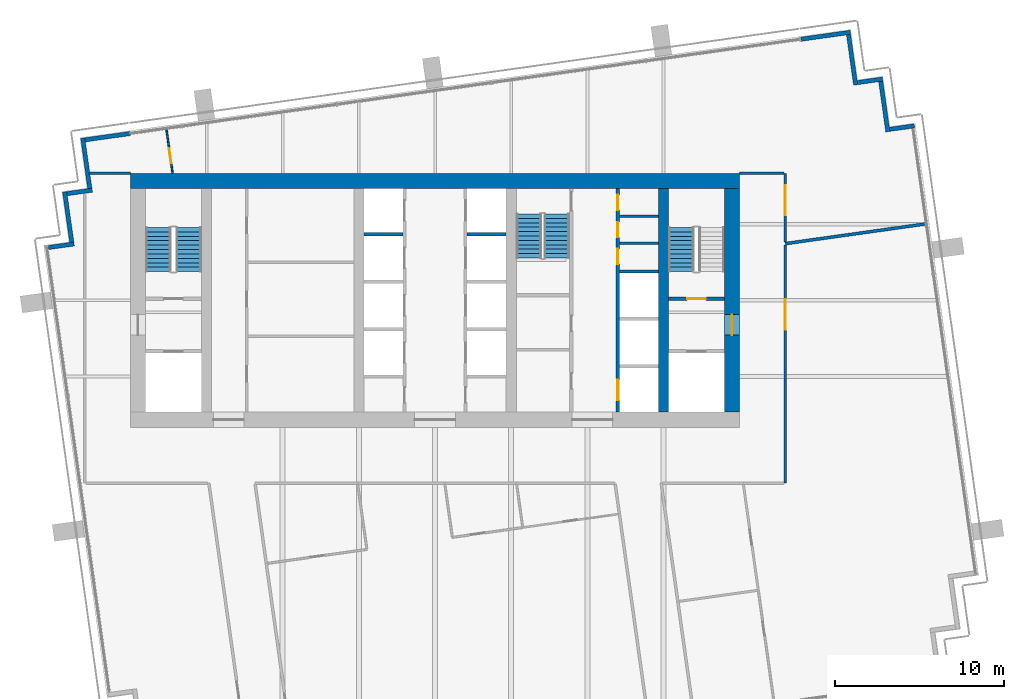
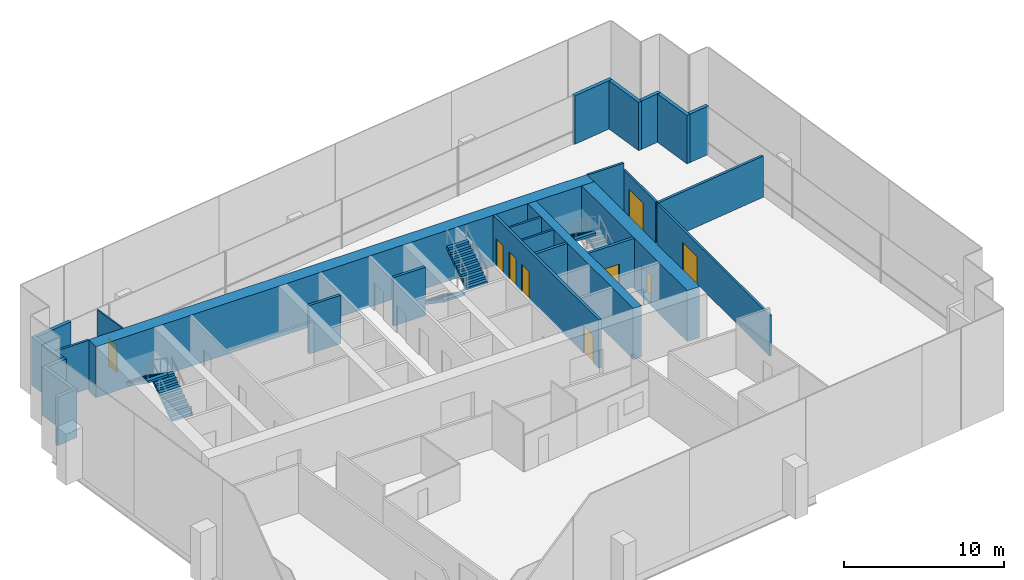
# One storey, part 11 of 17: 26 walls, 9 doors, 5 stair flights, 9 openings, 3 elements without a shape of their own.
"""IFC4 building model written with IfcOpenShell, lengths in metres."""

from ifc_helpers import new_model, si_unit, direction, frame, frame_2d, origin, place, context, subcontext, project, spatial, polyline, rectangle, outline, extrude, material, layer, layer_set, type_object, element, fill, aggregate, save


model = new_model("IFC4")

# Units and contexts
model_context = context("Model", 3, precision=1e-05, world=origin(), true_north=direction((0.0, 1.0)))
body_context = subcontext(model_context, "Body", "Model", "MODEL_VIEW")
ifc_project = project(units=[si_unit("LENGTHUNIT", "METRE"), si_unit("AREAUNIT", "SQUARE_METRE"), si_unit("VOLUMEUNIT", "CUBIC_METRE"), si_unit("PLANEANGLEUNIT", "RADIAN"), si_unit("MASSUNIT", "GRAM", prefix="KILO")], contexts=[model_context])

# Site, building, storey
site_placement = place(None, origin())
site = spatial("IfcSite", under=ifc_project, at=site_placement, CompositionType="ELEMENT")
building_placement = place(site_placement, origin())
building = spatial("IfcBuilding", under=site, at=building_placement, Name="Rattan Terrace Tower", CompositionType="ELEMENT")
storey_placement = place(building_placement, frame((0.0, 0.0, 213.5)))
storey = spatial("IfcBuildingStorey", under=building, at=storey_placement, Name="L48", CompositionType="ELEMENT", Elevation=213.5)

# Walls
ifc_material_1 = material(Name="Gypsum board partition")
ifc_layer_1 = layer(ifc_material_1, 0.14990234375)
ifc_layer_set_1 = layer_set([ifc_layer_1], Name="Core partition 150")
wall_type_1 = type_object("IfcWallType", Name="Core partition 150", PredefinedType="PARTITIONING", material=ifc_layer_set_1)
for number, where, z_axis, x_axis, name in (
    (1, (10.89990234375, 3.384033203125, 0.0), (0.0, 0.0, 1.0), (1.0, 0.0, 0.0), "Riser room wall"),
    (2, (10.89990234375, 4.968017578125, 0.0), (0.0, 0.0, 1.0), (1.0, 0.0, 0.0), "Riser room wall"),
):
    element("IfcWall", number, at=place(storey_placement, frame(where, z_axis=z_axis, x_axis=x_axis)), inside=storey, type_object=wall_type_1, Name=name, PredefinedType="PARTITIONING", context=body_context, shape_type="SweptSolid", body=[
        extrude(rectangle(XDim=2.300048828125, YDim=0.14990234375, at=frame_2d((1.14990234375, 0.0))), origin(), (0.0, 0.0, 1.0), 3.699951171875),
    ])

# Wall, opening, door
ifc_material_2 = material(Name="Gypsum board partition")
ifc_layer_2 = layer(ifc_material_2, 0.199951171875)
ifc_layer_set_2 = layer_set([ifc_layer_2], Name="Core partition 200")
wall_type_2 = type_object("IfcWallType", Name="Core partition 200", PredefinedType="PARTITIONING", material=ifc_layer_set_2)
wall_1_placement = place(storey_placement, frame((13.800048828125, 0.10009765625, 0.0), z_axis=(0.0, 0.0, 1.0), x_axis=(1.0, 0.0, 0.0)))
wall_1 = element("IfcWall", 3, at=wall_1_placement, inside=storey, type_object=wall_type_2, Name="Stair enclosure wall", PredefinedType="PARTITIONING", context=body_context, shape_type="SweptSolid", body=[
    extrude(rectangle(XDim=3.300048828125, YDim=0.199951171875, at=frame_2d((1.64990234375, 0.0))), origin(), (0.0, 0.0, 1.0), 3.699951171875),
])
opening_1_placement = place(wall_1_placement, frame((1.10009765625, 0.0, 0.0)))
opening_1 = element("IfcOpeningElement", 4, at=opening_1_placement, cuts=wall_1, Name="Opening L48-D004", PredefinedType="OPENING", context=body_context, shape_type="SweptSolid", body=[
    extrude(rectangle(XDim=1.10009765625, YDim=2.10009765625, at=frame_2d((0.550048828125, 1.050048828125))), frame((0.0, 0.110595703125, 0.0), z_axis=(0.0, -1.0, 0.0), x_axis=(1.0, 0.0, 0.0)), (0.0, 0.0, 1.0), 0.220947265625),
])
ifc_material_3 = material(Name="Hollow-metal fire door leaf")
door_type_1 = type_object("IfcDoorType", Name="Core stair door 1100", OperationType="NOTDEFINED", PredefinedType="DOOR", material=ifc_material_3)
door_1_placement = place(opening_1_placement, origin())
door_1 = element("IfcDoor", 5, at=door_1_placement, inside=storey, type_object=door_type_1, Name="Door L48-D004", OperationType="SINGLE_SWING_RIGHT", OverallHeight=2.10009765625, OverallWidth=1.10009765625, PredefinedType="DOOR", context=body_context, shape_type="SweptSolid", body=[
    extrude(rectangle(XDim=1.10009765625, YDim=2.10009765625, at=frame_2d((0.550048828125, 1.050048828125))), frame((0.0, 0.02490234375, 0.0), z_axis=(0.0, -1.0, 0.0), x_axis=(1.0, 0.0, 0.0)), (0.0, 0.0, 1.0), 0.050048828125),
])
fill(opening_1, door_1)

# Wall
ifc_material_4 = material(Name="Concrete C50/60", Category="concrete")
ifc_layer_3 = layer(ifc_material_4, 0.89990234375)
ifc_layer_set_3 = layer_set([ifc_layer_3], Name="Core ring wall 900 C50/60")
wall_type_3 = type_object("IfcWallType", Name="Core ring wall 900 C50/60", PredefinedType="SHEAR", material=ifc_layer_set_3)
wall_2_placement = place(storey_placement, frame((-18.0, 7.050048828125, -0.199951171875), z_axis=(0.0, 0.0, 1.0), x_axis=(1.0, 0.0, 0.0)))
element("IfcWall", 6, at=wall_2_placement, inside=storey, type_object=wall_type_3, Name="Rear core wall north", PredefinedType="SHEAR", context=body_context, shape_type="SweptSolid", body=[
    extrude(rectangle(XDim=36.0, YDim=0.89990234375, at=frame_2d((18.0, 0.0))), origin(), (0.0, 0.0, 1.0), 3.89990234375),
])

# Wall, opening, door
wall_3_placement = place(storey_placement, frame((17.550048828125, -6.60009765625, -0.199951171875), z_axis=(0.0, 0.0, 1.0), x_axis=(0.0, 1.0, 0.0)))
wall_3 = element("IfcWall", 7, at=wall_3_placement, inside=storey, type_object=wall_type_3, Name="Rear core wall east", PredefinedType="SHEAR", context=body_context, shape_type="SweptSolid", body=[
    extrude(rectangle(XDim=13.2001953125, YDim=0.89990234375, at=frame_2d((6.60009765625, 0.0))), origin(), (0.0, 0.0, 1.0), 3.89990234375),
])
opening_2_placement = place(wall_3_placement, frame((4.550048828125, 0.0, 0.199951171875)))
opening_2 = element("IfcOpeningElement", 8, at=opening_2_placement, cuts=wall_3, Name="Opening L48-D003", PredefinedType="OPENING", context=body_context, shape_type="SweptSolid", body=[
    extrude(rectangle(XDim=1.199951171875, YDim=2.10009765625, at=frame_2d((0.60009765625, 1.050048828125))), frame((0.0, 0.46044921875, 0.0), z_axis=(0.0, -1.0, 0.0), x_axis=(1.0, 0.0, 0.0)), (0.0, 0.0, 1.0), 0.9208984375),
])
ifc_material_5 = material(Name="Hollow-metal fire door leaf")
door_type_2 = type_object("IfcDoorType", Name="Core fire-fighting lobby door 1200", OperationType="NOTDEFINED", PredefinedType="DOOR", material=ifc_material_5)
door_2_placement = place(opening_2_placement, origin())
door_2 = element("IfcDoor", 9, at=door_2_placement, inside=storey, type_object=door_type_2, Name="Door L48-D003", OperationType="SINGLE_SWING_LEFT", OverallHeight=2.10009765625, OverallWidth=1.199951171875, PredefinedType="DOOR", context=body_context, shape_type="SweptSolid", body=[
    extrude(rectangle(XDim=1.199951171875, YDim=2.10009765625, at=frame_2d((0.60009765625, 1.050048828125))), frame((0.0, 0.02490234375, 0.0), z_axis=(0.0, -1.0, 0.0), x_axis=(1.0, 0.0, 0.0)), (0.0, 0.0, 1.0), 0.050048828125),
])
fill(opening_2, door_2)

# Walls
ifc_material_6 = material(Name="Concrete C50/60", Category="concrete")
ifc_layer_4 = layer(ifc_material_6, 0.60009765625)
ifc_layer_set_4 = layer_set([ifc_layer_4], Name="Core spine wall 600 C50/60")
wall_type_4 = type_object("IfcWallType", Name="Core spine wall 600 C50/60", PredefinedType="SHEAR", material=ifc_layer_set_4)
wall_4_placement = place(storey_placement, frame((13.5, -6.60009765625, -0.199951171875), z_axis=(0.0, 0.0, 1.0), x_axis=(0.0, 1.0, 0.0)))
element("IfcWall", 10, at=wall_4_placement, inside=storey, type_object=wall_type_4, Name="Core spine wall 4", PredefinedType="SHEAR", context=body_context, shape_type="SweptSolid", body=[
    extrude(rectangle(XDim=13.2001953125, YDim=0.60009765625, at=frame_2d((6.60009765625, 0.0))), origin(), (0.0, 0.0, 1.0), 3.89990234375),
])
ifc_material_7 = material(Name="Insulated aluminium-clad stud wall", Category="aluminium")
ifc_layer_5 = layer(ifc_material_7, 0.25)
ifc_layer_set_5 = layer_set([ifc_layer_5], Name="Facade Riser Wall 250")
wall_type_5 = type_object("IfcWallType", Name="Facade Riser Wall 250", PredefinedType="SOLIDWALL", material=ifc_layer_set_5)
wall_5_placement = place(storey_placement, frame((28.322265625, 10.308837890625, 0.0), z_axis=(0.0, 0.0, 1.0), x_axis=(-0.990235520307, -0.13940449893, 0.0)))
element("IfcWall", 11, at=wall_5_placement, inside=storey, type_object=wall_type_5, Name="Riser wall L48-6", PredefinedType="SOLIDWALL", context=body_context, shape_type="SweptSolid", body=[
    extrude(rectangle(XDim=1.474609375, YDim=0.25, at=frame_2d((0.7373046875, 0.0))), origin(), (0.0, 0.0, 1.0), 3.699951171875),
])
wall_6_placement = place(storey_placement, frame((26.755859375, 9.962158203125, 0.0), z_axis=(0.0, 0.0, 1.0), x_axis=(-0.139393225799, 0.990237107263, 0.0)))
element("IfcWall", 12, at=wall_6_placement, inside=storey, type_object=wall_type_5, Name="Riser wall L48-7", PredefinedType="SOLIDWALL", context=body_context, shape_type="SweptSolid", body=[
    extrude(rectangle(XDim=3.000244140625, YDim=0.25, at=frame_2d((1.5, 0.0))), origin(), (0.0, 0.0, 1.0), 3.699951171875),
])
wall_7_placement = place(storey_placement, frame((26.444091796875, 13.074462890625, 0.0), z_axis=(0.0, 0.0, 1.0), x_axis=(-0.990240434918, -0.139369584395, 0.0)))
element("IfcWall", 13, at=wall_7_placement, inside=storey, type_object=wall_type_5, Name="Riser wall L48-8", PredefinedType="SOLIDWALL", context=body_context, shape_type="SweptSolid", body=[
    extrude(rectangle(XDim=1.49951171875, YDim=0.25, at=frame_2d((0.749755859375, 0.0))), origin(), (0.0, 0.0, 1.0), 3.699951171875),
])
wall_8_placement = place(storey_placement, frame((24.852783203125, 12.72412109375, 0.0), z_axis=(0.0, 0.0, 1.0), x_axis=(-0.139302206688, 0.990249915532, 0.0)))
element("IfcWall", 14, at=wall_8_placement, inside=storey, type_object=wall_type_5, Name="Riser wall L48-9", PredefinedType="SOLIDWALL", context=body_context, shape_type="SweptSolid", body=[
    extrude(rectangle(XDim=3.00048828125, YDim=0.25, at=frame_2d((1.500244140625, 0.0))), origin(), (0.0, 0.0, 1.0), 3.699951171875),
])
wall_9_placement = place(storey_placement, frame((24.541015625, 15.83642578125, 0.0), z_axis=(0.0, 0.0, 1.0), x_axis=(-0.990285396533, -0.139049751574, 0.0)))
element("IfcWall", 15, at=wall_9_placement, inside=storey, type_object=wall_type_5, Name="Riser wall L48-10", PredefinedType="SOLIDWALL", context=body_context, shape_type="SweptSolid", body=[
    extrude(rectangle(XDim=2.955078125, YDim=0.25, at=frame_2d((1.4775390625, 0.0))), origin(), (0.0, 0.0, 1.0), 3.699951171875),
])
wall_10_placement = place(storey_placement, frame((-17.995361328125, 9.858642578125, 0.0), z_axis=(0.0, 0.0, 1.0), x_axis=(-0.99024510326, -0.139336411139, 0.0)))
element("IfcWall", 16, at=wall_10_placement, inside=storey, type_object=wall_type_5, Name="Riser wall L48-11", PredefinedType="SOLIDWALL", context=body_context, shape_type="SweptSolid", body=[
    extrude(rectangle(XDim=2.705322265625, YDim=0.25, at=frame_2d((1.3525390625, 0.0))), origin(), (0.0, 0.0, 1.0), 3.699951171875),
])
wall_11_placement = place(storey_placement, frame((-20.8154296875, 9.588134765625, 0.0), z_axis=(0.0, 0.0, 1.0), x_axis=(0.138983028379, -0.9902947631, 0.0)))
element("IfcWall", 17, at=wall_11_placement, inside=storey, type_object=wall_type_5, Name="Riser wall L48-12", PredefinedType="SOLIDWALL", context=body_context, shape_type="SweptSolid", body=[
    extrude(rectangle(XDim=3.000244140625, YDim=0.25, at=frame_2d((1.5, 0.0))), origin(), (0.0, 0.0, 1.0), 3.699951171875),
])
wall_12_placement = place(storey_placement, frame((-20.25732421875, 6.510498046875, 0.0), z_axis=(0.0, 0.0, 1.0), x_axis=(-0.990330117064, -0.138730887823, 0.0)))
element("IfcWall", 18, at=wall_12_placement, inside=storey, type_object=wall_type_5, Name="Riser wall L48-13", PredefinedType="SOLIDWALL", context=body_context, shape_type="SweptSolid", body=[
    extrude(rectangle(XDim=1.499267578125, YDim=0.25, at=frame_2d((0.74951171875, 0.0))), origin(), (0.0, 0.0, 1.0), 3.699951171875),
])
wall_13_placement = place(storey_placement, frame((-21.88330078125, 6.408935546875, 0.0), z_axis=(0.0, 0.0, 1.0), x_axis=(0.139324658755, -0.990246756855, 0.0)))
element("IfcWall", 19, at=wall_13_placement, inside=storey, type_object=wall_type_5, Name="Riser wall L48-14", PredefinedType="SOLIDWALL", context=body_context, shape_type="SweptSolid", body=[
    extrude(rectangle(XDim=3.0, YDim=0.25, at=frame_2d((1.5, 0.0))), origin(), (0.0, 0.0, 1.0), 3.699951171875),
])
wall_14_placement = place(storey_placement, frame((-21.32421875, 3.331787109375, 0.0), z_axis=(0.0, 0.0, 1.0), x_axis=(-0.990238641016, -0.139382329723, 0.0)))
element("IfcWall", 20, at=wall_14_placement, inside=storey, type_object=wall_type_5, Name="Riser wall L48-15", PredefinedType="SOLIDWALL", context=body_context, shape_type="SweptSolid", body=[
    extrude(rectangle(XDim=1.525634765625, YDim=0.25, at=frame_2d((0.7626953125, 0.0))), origin(), (0.0, 0.0, 1.0), 3.699951171875),
])
ifc_material_8 = material(Name="Double steel stud acoustic partition, gypsum board, mineral wool, fire rated", Category="steel")
ifc_layer_6 = layer(ifc_material_8, 0.179931640625)
ifc_layer_set_6 = layer_set([ifc_layer_6], Name="Floors Acoustic Party Wall 180")
wall_type_6 = type_object("IfcWallType", Name="Floors Acoustic Party Wall 180", PredefinedType="PARTITIONING", material=ifc_layer_set_6)
wall_15_placement = place(storey_placement, frame((20.699951171875, 3.35009765625, 0.0), z_axis=(0.0, 0.0, 1.0), x_axis=(0.990269965101, 0.139159606996, 0.0)))
element("IfcWall", 21, at=wall_15_placement, inside=storey, type_object=wall_type_6, Name="pt-L48-022", PredefinedType="PARTITIONING", context=body_context, shape_type="SweptSolid", body=[
    extrude(rectangle(XDim=8.328125, YDim=0.179931640625, at=frame_2d((4.1640625, 0.0))), origin(), (0.0, 0.0, 1.0), 3.14990234375),
])

# Wall, opening, door
ifc_material_9 = material(Name="Gypsum board partition on steel studs", Category="steel")
ifc_layer_7 = layer(ifc_material_9, 0.10009765625)
ifc_layer_set_7 = layer_set([ifc_layer_7], Name="Floors Partition 100")
wall_type_7 = type_object("IfcWallType", Name="Floors Partition 100", PredefinedType="PARTITIONING", material=ifc_layer_set_7)
wall_16_placement = place(storey_placement, frame((-15.50390625, 7.5, 0.0), z_axis=(0.0, 0.0, 1.0), x_axis=(-0.138928669032, 0.990302390647, 0.0)))
wall_16 = element("IfcWall", 22, at=wall_16_placement, inside=storey, type_object=wall_type_7, Name="pt-L48-024", PredefinedType="PARTITIONING", context=body_context, shape_type="SweptSolid", body=[
    extrude(rectangle(XDim=2.592041015625, YDim=0.10009765625, at=frame_2d((1.2958984375, 0.0))), origin(), (0.0, 0.0, 1.0), 3.699951171875),
])
opening_3_placement = place(wall_16_placement, frame((0.60791015625, 0.0, 0.0)))
opening_3 = element("IfcOpeningElement", 23, at=opening_3_placement, cuts=wall_16, Name="Opening L48-D105", PredefinedType="OPENING", context=body_context, shape_type="SweptSolid", body=[
    extrude(rectangle(XDim=0.89990234375, YDim=2.10009765625, at=frame_2d((0.449951171875, 1.050048828125))), frame((0.0, 0.060546875, 0.0), z_axis=(0.0, -1.0, 0.0), x_axis=(1.0, 0.0, 0.0)), (0.0, 0.0, 1.0), 0.12109375),
])
ifc_material_10 = material(Name="Solid core timber door, painted", Category="wood")
door_type_3 = type_object("IfcDoorType", Name="Floors Door 900x2100", OperationType="NOTDEFINED", PredefinedType="DOOR", material=ifc_material_10)
door_3_placement = place(opening_3_placement, origin())
door_3 = element("IfcDoor", 24, at=door_3_placement, inside=storey, type_object=door_type_3, Name="d-L48-105", OperationType="SINGLE_SWING_LEFT", OverallHeight=2.10009765625, OverallWidth=0.89990234375, PredefinedType="DOOR", context=body_context, shape_type="SweptSolid", body=[
    extrude(rectangle(XDim=0.89990234375, YDim=2.10009765625, at=frame_2d((0.449951171875, 1.050048828125))), frame((0.0, 0.02490234375, 0.0), z_axis=(0.0, -1.0, 0.0), x_axis=(1.0, 0.0, 0.0)), (0.0, 0.0, 1.0), 0.050048828125),
])
fill(opening_3, door_3)

ifc_material_11 = material(Name="Gypsum board partition on steel studs, fire rated", Category="steel")
ifc_layer_8 = layer(ifc_material_11, 0.14990234375)
ifc_layer_set_8 = layer_set([ifc_layer_8], Name="Floors Tenancy Wall 150")
wall_type_8 = type_object("IfcWallType", Name="Floors Tenancy Wall 150", PredefinedType="PARTITIONING", material=ifc_layer_set_8)
wall_17_placement = place(storey_placement, frame((20.699951171875, 3.260986328125, 0.0), z_axis=(0.0, 0.0, 1.0), x_axis=(0.0, -1.0, 0.0)))
wall_17 = element("IfcWall", 25, at=wall_17_placement, inside=storey, type_object=wall_type_8, Name="pt-L48-005", PredefinedType="PARTITIONING", context=body_context, shape_type="SweptSolid", body=[
    extrude(rectangle(XDim=14.06103515625, YDim=0.14990234375, at=frame_2d((7.030517578125, 0.0))), origin(), (0.0, 0.0, 1.0), 3.10009765625),
])
opening_4_placement = place(wall_17_placement, frame((3.18994140625, 0.0, 0.0)))
opening_4 = element("IfcOpeningElement", 26, at=opening_4_placement, cuts=wall_17, Name="Opening L48-D101", PredefinedType="OPENING", context=body_context, shape_type="SweptSolid", body=[
    extrude(rectangle(XDim=1.800048828125, YDim=2.10009765625, at=frame_2d((0.89990234375, 1.050048828125))), frame((0.0, 0.08544921875, 0.0), z_axis=(0.0, -1.0, 0.0), x_axis=(1.0, 0.0, 0.0)), (0.0, 0.0, 1.0), 0.1708984375),
])
ifc_material_12 = material(Name="Steel fire door set", Category="steel")
door_type_4 = type_object("IfcDoorType", Name="Floors Fire Door Pair FD30S 1800x2100", OperationType="NOTDEFINED", PredefinedType="DOOR", material=ifc_material_12)
door_4_placement = place(opening_4_placement, origin())
door_4 = element("IfcDoor", 27, at=door_4_placement, inside=storey, type_object=door_type_4, Name="d-L48-101", OperationType="DOUBLE_DOOR_SINGLE_SWING", OverallHeight=2.10009765625, OverallWidth=1.800048828125, PredefinedType="DOOR", context=body_context, shape_type="SweptSolid", body=[
    extrude(rectangle(XDim=1.800048828125, YDim=2.10009765625, at=frame_2d((0.89990234375, 1.050048828125))), frame((0.0, 0.02490234375, 0.0), z_axis=(0.0, -1.0, 0.0), x_axis=(1.0, 0.0, 0.0)), (0.0, 0.0, 1.0), 0.050048828125),
])
fill(opening_4, door_4)

# Wall
wall_18_placement = place(storey_placement, frame((18.0, 7.5009765625, 0.0), z_axis=(0.0, 0.0, 1.0), x_axis=(1.0, 0.0, 0.0)))
element("IfcWall", 28, at=wall_18_placement, inside=storey, type_object=wall_type_8, Name="pt-L48-009", PredefinedType="PARTITIONING", context=body_context, shape_type="SweptSolid", body=[
    extrude(rectangle(XDim=2.625, YDim=0.14990234375, at=frame_2d((1.3125, 0.0))), origin(), (0.0, 0.0, 1.0), 3.699951171875),
])

# Wall, opening, door
wall_19_placement = place(storey_placement, frame((20.699951171875, 7.5, 0.0), z_axis=(0.0, 0.0, 1.0), x_axis=(0.0, -1.0, 0.0)))
wall_19 = element("IfcWall", 29, at=wall_19_placement, inside=storey, type_object=wall_type_8, Name="pt-L48-010", PredefinedType="PARTITIONING", context=body_context, shape_type="SweptSolid", body=[
    extrude(rectangle(XDim=4.049072265625, YDim=0.14990234375, at=frame_2d((2.0244140625, 0.0))), origin(), (0.0, 0.0, 1.0), 3.14990234375),
])
opening_5_placement = place(wall_19_placement, frame((0.68701171875, 0.0, 0.0)))
opening_5 = element("IfcOpeningElement", 30, at=opening_5_placement, cuts=wall_19, Name="Opening L48-D104", PredefinedType="OPENING", context=body_context, shape_type="SweptSolid", body=[
    extrude(rectangle(XDim=1.800048828125, YDim=2.10009765625, at=frame_2d((0.89990234375, 1.050048828125))), frame((0.0, 0.08544921875, 0.0), z_axis=(0.0, -1.0, 0.0), x_axis=(1.0, 0.0, 0.0)), (0.0, 0.0, 1.0), 0.1708984375),
])
door_5_placement = place(opening_5_placement, origin())
door_5 = element("IfcDoor", 31, at=door_5_placement, inside=storey, type_object=door_type_4, Name="d-L48-104", OperationType="DOUBLE_DOOR_SINGLE_SWING", OverallHeight=2.10009765625, OverallWidth=1.800048828125, PredefinedType="DOOR", context=body_context, shape_type="SweptSolid", body=[
    extrude(rectangle(XDim=1.800048828125, YDim=2.10009765625, at=frame_2d((0.89990234375, 1.050048828125))), frame((0.0, 0.02490234375, 0.0), z_axis=(0.0, -1.0, 0.0), x_axis=(1.0, 0.0, 0.0)), (0.0, 0.0, 1.0), 0.050048828125),
])
fill(opening_5, door_5)

# Walls
wall_20_placement = place(storey_placement, frame((-20.430908203125, 7.5, 0.0), z_axis=(0.0, 0.0, 1.0), x_axis=(1.0, 0.0, 0.0)))
element("IfcWall", 32, at=wall_20_placement, inside=storey, type_object=wall_type_8, Name="pt-L48-011", PredefinedType="PARTITIONING", context=body_context, shape_type="SweptSolid", body=[
    extrude(rectangle(XDim=2.430908203125, YDim=0.14990234375, at=frame_2d((1.21533203125, 0.0))), origin(), (0.0, 0.0, 1.0), 3.699951171875),
])
ifc_material_13 = material(Name="Gypsum shaft wall system")
ifc_layer_9 = layer(ifc_material_13, 0.199951171875)
ifc_layer_set_9 = layer_set([ifc_layer_9], Name="Lift shaft wall 200")
wall_type_9 = type_object("IfcWallType", Name="Lift shaft wall 200", PredefinedType="PARTITIONING", material=ifc_layer_set_9)
for number, where, z_axis, x_axis, name in (
    (33, (-4.199951171875, 3.89990234375, 0.0), (0.0, 0.0, 1.0), (1.0, 0.0, 0.0), "Lift shaft wall"),
    (34, (1.89990234375, 3.89990234375, 0.0), (0.0, 0.0, 1.0), (1.0, 0.0, 0.0), "Lift shaft wall"),
):
    element("IfcWall", number, at=place(storey_placement, frame(where, z_axis=z_axis, x_axis=x_axis)), inside=storey, type_object=wall_type_9, Name=name, PredefinedType="PARTITIONING", context=body_context, shape_type="SweptSolid", body=[
        extrude(rectangle(XDim=2.300048828125, YDim=0.199951171875, at=frame_2d((1.14990234375, 0.0))), origin(), (0.0, 0.0, 1.0), 3.699951171875),
    ])

# Wall, openings, doors
wall_21_placement = place(storey_placement, frame((10.800048828125, -6.60009765625, 0.0), z_axis=(0.0, 0.0, 1.0), x_axis=(0.0, 1.0, 0.0)))
wall_21 = element("IfcWall", 35, at=wall_21_placement, inside=storey, type_object=wall_type_9, Name="Lift shaft front wall", PredefinedType="PARTITIONING", context=body_context, shape_type="SweptSolid", body=[
    extrude(rectangle(XDim=13.2001953125, YDim=0.199951171875, at=frame_2d((6.60009765625, 0.0))), origin(), (0.0, 0.0, 1.0), 3.699951171875),
])
opening_6_placement = place(wall_21_placement, frame((0.699951171875, 0.0, 0.0)))
opening_6 = element("IfcOpeningElement", 36, at=opening_6_placement, cuts=wall_21, Name="Opening L48-LD-SV1", PredefinedType="OPENING", context=body_context, shape_type="SweptSolid", body=[
    extrude(rectangle(XDim=1.199951171875, YDim=2.10009765625, at=frame_2d((0.60009765625, 1.050048828125))), frame((0.0, 0.110595703125, 0.0), z_axis=(0.0, -1.0, 0.0), x_axis=(1.0, 0.0, 0.0)), (0.0, 0.0, 1.0), 0.220947265625),
])
opening_7_placement = place(wall_21_placement, frame((8.741943359375, 0.0, 0.0)))
opening_7 = element("IfcOpeningElement", 37, at=opening_7_placement, cuts=wall_21, Name="Opening L48-D016", PredefinedType="OPENING", context=body_context, shape_type="SweptSolid", body=[
    extrude(rectangle(XDim=0.89990234375, YDim=2.10009765625, at=frame_2d((0.449951171875, 1.050048828125))), frame((0.0, 0.110595703125, 0.0), z_axis=(0.0, -1.0, 0.0), x_axis=(1.0, 0.0, 0.0)), (0.0, 0.0, 1.0), 0.220947265625),
])
opening_8_placement = place(wall_21_placement, frame((10.325927734375, 0.0, 0.0)))
opening_8 = element("IfcOpeningElement", 38, at=opening_8_placement, cuts=wall_21, Name="Opening L48-D017", PredefinedType="OPENING", context=body_context, shape_type="SweptSolid", body=[
    extrude(rectangle(XDim=0.89990234375, YDim=2.10009765625, at=frame_2d((0.449951171875, 1.050048828125))), frame((0.0, 0.110595703125, 0.0), z_axis=(0.0, -1.0, 0.0), x_axis=(1.0, 0.0, 0.0)), (0.0, 0.0, 1.0), 0.220947265625),
])
opening_9_placement = place(wall_21_placement, frame((11.93408203125, 0.0, 0.0)))
opening_9 = element("IfcOpeningElement", 39, at=opening_9_placement, cuts=wall_21, Name="Opening L48-D018", PredefinedType="OPENING", context=body_context, shape_type="SweptSolid", body=[
    extrude(rectangle(XDim=0.89990234375, YDim=2.10009765625, at=frame_2d((0.449951171875, 1.050048828125))), frame((0.0, 0.110595703125, 0.0), z_axis=(0.0, -1.0, 0.0), x_axis=(1.0, 0.0, 0.0)), (0.0, 0.0, 1.0), 0.220947265625),
])
ifc_material_14 = material(Name="Brushed stainless landing door panel")
door_type_5 = type_object("IfcDoorType", Name="Core lift landing door 1200", OperationType="DOUBLE_DOOR_SLIDING", PredefinedType="DOOR", material=ifc_material_14)
door_6_placement = place(opening_6_placement, origin())
door_6 = element("IfcDoor", 40, at=door_6_placement, inside=storey, type_object=door_type_5, Name="Door L48-LD-SV1", OperationType="DOUBLE_DOOR_SLIDING", OverallHeight=2.10009765625, OverallWidth=1.199951171875, PredefinedType="DOOR", context=body_context, shape_type="SweptSolid", body=[
    extrude(rectangle(XDim=1.199951171875, YDim=2.10009765625, at=frame_2d((0.60009765625, 1.050048828125))), frame((0.0, 0.02490234375, 0.0), z_axis=(0.0, -1.0, 0.0), x_axis=(1.0, 0.0, 0.0)), (0.0, 0.0, 1.0), 0.050048828125),
])
fill(opening_6, door_6)
ifc_material_15 = material(Name="Hollow-metal fire door leaf")
door_type_6 = type_object("IfcDoorType", Name="Core riser door 900", OperationType="NOTDEFINED", PredefinedType="DOOR", material=ifc_material_15)
door_7_placement = place(opening_7_placement, origin())
door_7 = element("IfcDoor", 41, at=door_7_placement, inside=storey, type_object=door_type_6, Name="Door L48-D016", OperationType="SINGLE_SWING_RIGHT", OverallHeight=2.10009765625, OverallWidth=0.89990234375, PredefinedType="DOOR", context=body_context, shape_type="SweptSolid", body=[
    extrude(rectangle(XDim=0.89990234375, YDim=2.10009765625, at=frame_2d((0.449951171875, 1.050048828125))), frame((0.0, 0.02490234375, 0.0), z_axis=(0.0, -1.0, 0.0), x_axis=(1.0, 0.0, 0.0)), (0.0, 0.0, 1.0), 0.050048828125),
])
fill(opening_7, door_7)
door_8_placement = place(opening_8_placement, origin())
door_8 = element("IfcDoor", 42, at=door_8_placement, inside=storey, type_object=door_type_6, Name="Door L48-D017", OperationType="SINGLE_SWING_LEFT", OverallHeight=2.10009765625, OverallWidth=0.89990234375, PredefinedType="DOOR", context=body_context, shape_type="SweptSolid", body=[
    extrude(rectangle(XDim=0.89990234375, YDim=2.10009765625, at=frame_2d((0.449951171875, 1.050048828125))), frame((0.0, 0.02490234375, 0.0), z_axis=(0.0, -1.0, 0.0), x_axis=(1.0, 0.0, 0.0)), (0.0, 0.0, 1.0), 0.050048828125),
])
fill(opening_8, door_8)
ifc_material_16 = material(Name="Hollow-metal fire door leaf")
door_type_7 = type_object("IfcDoorType", Name="Core service room door 900", OperationType="NOTDEFINED", PredefinedType="DOOR", material=ifc_material_16)
door_9_placement = place(opening_9_placement, origin())
door_9 = element("IfcDoor", 43, at=door_9_placement, inside=storey, type_object=door_type_7, Name="Door L48-D018", OperationType="SINGLE_SWING_RIGHT", OverallHeight=2.10009765625, OverallWidth=0.89990234375, PredefinedType="DOOR", context=body_context, shape_type="SweptSolid", body=[
    extrude(rectangle(XDim=0.89990234375, YDim=2.10009765625, at=frame_2d((0.449951171875, 1.050048828125))), frame((0.0, 0.02490234375, 0.0), z_axis=(0.0, -1.0, 0.0), x_axis=(1.0, 0.0, 0.0)), (0.0, 0.0, 1.0), 0.050048828125),
])
fill(opening_9, door_9)

# Wall
wall_22_placement = place(storey_placement, frame((10.89990234375, 1.699951171875, 0.0), z_axis=(0.0, 0.0, 1.0), x_axis=(1.0, 0.0, 0.0)))
element("IfcWall", 44, at=wall_22_placement, inside=storey, type_object=wall_type_9, Name="Lift shaft wall", PredefinedType="PARTITIONING", context=body_context, shape_type="SweptSolid", body=[
    extrude(rectangle(XDim=2.300048828125, YDim=0.199951171875, at=frame_2d((1.14990234375, 0.0))), origin(), (0.0, 0.0, 1.0), 3.699951171875),
])

# Stair, stair flights
ifc_material_17 = material(Name="Concrete C40/50", Category="concrete")
stair_type = type_object("IfcStairType", Name="Core exit stair 1500", PredefinedType="HALF_TURN_STAIR", material=ifc_material_17)
stair_1_placement = place(storey_placement, origin())
stair_1 = element("IfcStair", 45, at=stair_1_placement, inside=storey, type_object=stair_type, Name="L48 exit stair 1", PredefinedType="HALF_TURN_STAIR")
ifc_material_18 = material(Name="Concrete C40/50", Category="concrete")
stair_flight_type = type_object("IfcStairFlightType", Name="Core exit stair flight 1500", PredefinedType="STRAIGHT", material=ifc_material_18)
stair_flight_1_placement = place(storey_placement, frame((-14.550048828125, 1.699951171875, 0.0), z_axis=(0.0, 0.0, 1.0), x_axis=(0.0, 1.0, 0.0)))
stair_flight_1 = element("IfcStairFlight", 46, at=stair_flight_1_placement, type_object=stair_flight_type, Name="S1 flight 1", NumberOfRisers=11, NumberOfTreads=10, PredefinedType="STRAIGHT", RiserHeight=0.177272727, TreadLength=0.26, context=body_context, shape_type="SweptSolid", body=[
    extrude(outline(polyline([(0.0, 0.0), (0.0, 0.17724609375), (0.260009765625, 0.17724609375), (0.260009765625, 0.3544921875), (0.52001953125, 0.3544921875), (0.52001953125, 0.53173828125), (0.780029296875, 0.53173828125), (0.780029296875, 0.708984375), (1.0400390625, 0.708984375), (1.0400390625, 0.886474609375), (1.300048828125, 0.886474609375), (1.300048828125, 1.063720703125), (1.56005859375, 1.063720703125), (1.56005859375, 1.240966796875), (1.820068359375, 1.240966796875), (1.820068359375, 1.418212890625), (2.080078125, 1.418212890625), (2.080078125, 1.595458984375), (2.340087890625, 1.595458984375), (2.340087890625, 1.772705078125), (2.60009765625, 1.772705078125), (2.60009765625, 1.949951171875), (2.60009765625, 1.59130859375), (0.26611328125, 0.0), (0.0, 0.0)])), frame((0.0, 0.75, 0.0), z_axis=(0.0, -1.0, 0.0), x_axis=(1.0, 0.0, 0.0)), (0.0, 0.0, 1.0), 1.5),
])
stair_flight_2_placement = place(storey_placement, frame((-16.35009765625, 4.300048828125, 1.949951171875), z_axis=(0.0, 0.0, 1.0), x_axis=(0.0, -1.0, 0.0)))
stair_flight_2 = element("IfcStairFlight", 47, at=stair_flight_2_placement, type_object=stair_flight_type, Name="S1 flight 2", NumberOfRisers=11, NumberOfTreads=10, PredefinedType="STRAIGHT", RiserHeight=0.177272727, TreadLength=0.26, context=body_context, shape_type="SweptSolid", body=[
    extrude(outline(polyline([(0.0, 0.0), (0.0, 0.17724609375), (0.260009765625, 0.17724609375), (0.260009765625, 0.3544921875), (0.52001953125, 0.3544921875), (0.52001953125, 0.53173828125), (0.780029296875, 0.53173828125), (0.780029296875, 0.708984375), (1.0400390625, 0.708984375), (1.0400390625, 0.886474609375), (1.300048828125, 0.886474609375), (1.300048828125, 1.063720703125), (1.56005859375, 1.063720703125), (1.56005859375, 1.240966796875), (1.820068359375, 1.240966796875), (1.820068359375, 1.418212890625), (2.080078125, 1.418212890625), (2.080078125, 1.595458984375), (2.340087890625, 1.595458984375), (2.340087890625, 1.772705078125), (2.60009765625, 1.772705078125), (2.60009765625, 1.949951171875), (2.60009765625, 1.59130859375), (0.26611328125, 0.0), (0.0, 0.0)])), frame((0.0, 0.75, 0.0), z_axis=(0.0, -1.0, 0.0), x_axis=(1.0, 0.0, 0.0)), (0.0, 0.0, 1.0), 1.5),
])
aggregate(stair_1, [stair_flight_1, stair_flight_2])

# Stair, stair flight
stair_2_placement = place(storey_placement, origin())
stair_2 = element("IfcStair", 48, at=stair_2_placement, inside=storey, type_object=stair_type, Name="L48 exit stair 2", PredefinedType="HALF_TURN_STAIR")
stair_flight_3_placement = place(storey_placement, frame((14.550048828125, 4.300048828125, 1.949951171875), z_axis=(0.0, 0.0, 1.0), x_axis=(0.0, -1.0, 0.0)))
stair_flight_3 = element("IfcStairFlight", 49, at=stair_flight_3_placement, type_object=stair_flight_type, Name="S2 flight 2", NumberOfRisers=11, NumberOfTreads=10, PredefinedType="STRAIGHT", RiserHeight=0.177272727, TreadLength=0.26, context=body_context, shape_type="SweptSolid", body=[
    extrude(outline(polyline([(0.0, 0.0), (0.0, 0.17724609375), (0.260009765625, 0.17724609375), (0.260009765625, 0.3544921875), (0.52001953125, 0.3544921875), (0.52001953125, 0.53173828125), (0.780029296875, 0.53173828125), (0.780029296875, 0.708984375), (1.0400390625, 0.708984375), (1.0400390625, 0.886474609375), (1.300048828125, 0.886474609375), (1.300048828125, 1.063720703125), (1.56005859375, 1.063720703125), (1.56005859375, 1.240966796875), (1.820068359375, 1.240966796875), (1.820068359375, 1.418212890625), (2.080078125, 1.418212890625), (2.080078125, 1.595458984375), (2.340087890625, 1.595458984375), (2.340087890625, 1.772705078125), (2.60009765625, 1.772705078125), (2.60009765625, 1.949951171875), (2.60009765625, 1.59130859375), (0.26611328125, 0.0), (0.0, 0.0)])), frame((0.0, 0.75, 0.0), z_axis=(0.0, -1.0, 0.0), x_axis=(1.0, 0.0, 0.0)), (0.0, 0.0, 1.0), 1.5),
])
aggregate(stair_2, [stair_flight_3])

# Stair, stair flights
stair_3_placement = place(storey_placement, origin())
stair_3 = element("IfcStair", 50, at=stair_3_placement, inside=storey, type_object=stair_type, Name="L48 exit stair 3", PredefinedType="HALF_TURN_STAIR")
stair_flight_4_placement = place(storey_placement, frame((5.550048828125, 5.10009765625, 0.0), z_axis=(0.0, 0.0, 1.0), x_axis=(0.0, -1.0, 0.0)))
stair_flight_4 = element("IfcStairFlight", 51, at=stair_flight_4_placement, type_object=stair_flight_type, Name="S3 flight 1", NumberOfRisers=11, NumberOfTreads=10, PredefinedType="STRAIGHT", RiserHeight=0.177272727, TreadLength=0.26, context=body_context, shape_type="SweptSolid", body=[
    extrude(outline(polyline([(0.0, 0.0), (0.0, 0.17724609375), (0.260009765625, 0.17724609375), (0.260009765625, 0.3544921875), (0.52001953125, 0.3544921875), (0.52001953125, 0.53173828125), (0.780029296875, 0.53173828125), (0.780029296875, 0.708984375), (1.0400390625, 0.708984375), (1.0400390625, 0.886474609375), (1.300048828125, 0.886474609375), (1.300048828125, 1.063720703125), (1.56005859375, 1.063720703125), (1.56005859375, 1.240966796875), (1.820068359375, 1.240966796875), (1.820068359375, 1.418212890625), (2.080078125, 1.418212890625), (2.080078125, 1.595458984375), (2.340087890625, 1.595458984375), (2.340087890625, 1.772705078125), (2.60009765625, 1.772705078125), (2.60009765625, 1.949951171875), (2.60009765625, 1.59130859375), (0.26611328125, 0.0), (0.0, 0.0)])), frame((0.0, 0.75, 0.0), z_axis=(0.0, -1.0, 0.0), x_axis=(1.0, 0.0, 0.0)), (0.0, 0.0, 1.0), 1.5),
])
stair_flight_5_placement = place(storey_placement, frame((7.199951171875, 2.5, 1.949951171875), z_axis=(0.0, 0.0, 1.0), x_axis=(0.0, 1.0, 0.0)))
stair_flight_5 = element("IfcStairFlight", 52, at=stair_flight_5_placement, type_object=stair_flight_type, Name="S3 flight 2", NumberOfRisers=11, NumberOfTreads=10, PredefinedType="STRAIGHT", RiserHeight=0.177272727, TreadLength=0.26, context=body_context, shape_type="SweptSolid", body=[
    extrude(outline(polyline([(0.0, 0.0), (0.0, 0.17724609375), (0.260009765625, 0.17724609375), (0.260009765625, 0.3544921875), (0.52001953125, 0.3544921875), (0.52001953125, 0.53173828125), (0.780029296875, 0.53173828125), (0.780029296875, 0.708984375), (1.0400390625, 0.708984375), (1.0400390625, 0.886474609375), (1.300048828125, 0.886474609375), (1.300048828125, 1.063720703125), (1.56005859375, 1.063720703125), (1.56005859375, 1.240966796875), (1.820068359375, 1.240966796875), (1.820068359375, 1.418212890625), (2.080078125, 1.418212890625), (2.080078125, 1.595458984375), (2.340087890625, 1.595458984375), (2.340087890625, 1.772705078125), (2.60009765625, 1.772705078125), (2.60009765625, 1.949951171875), (2.60009765625, 1.59130859375), (0.26611328125, 0.0), (0.0, 0.0)])), frame((0.0, 0.75, 0.0), z_axis=(0.0, -1.0, 0.0), x_axis=(1.0, 0.0, 0.0)), (0.0, 0.0, 1.0), 1.5),
])
aggregate(stair_3, [stair_flight_4, stair_flight_5])

save(model, "model.ifc")
